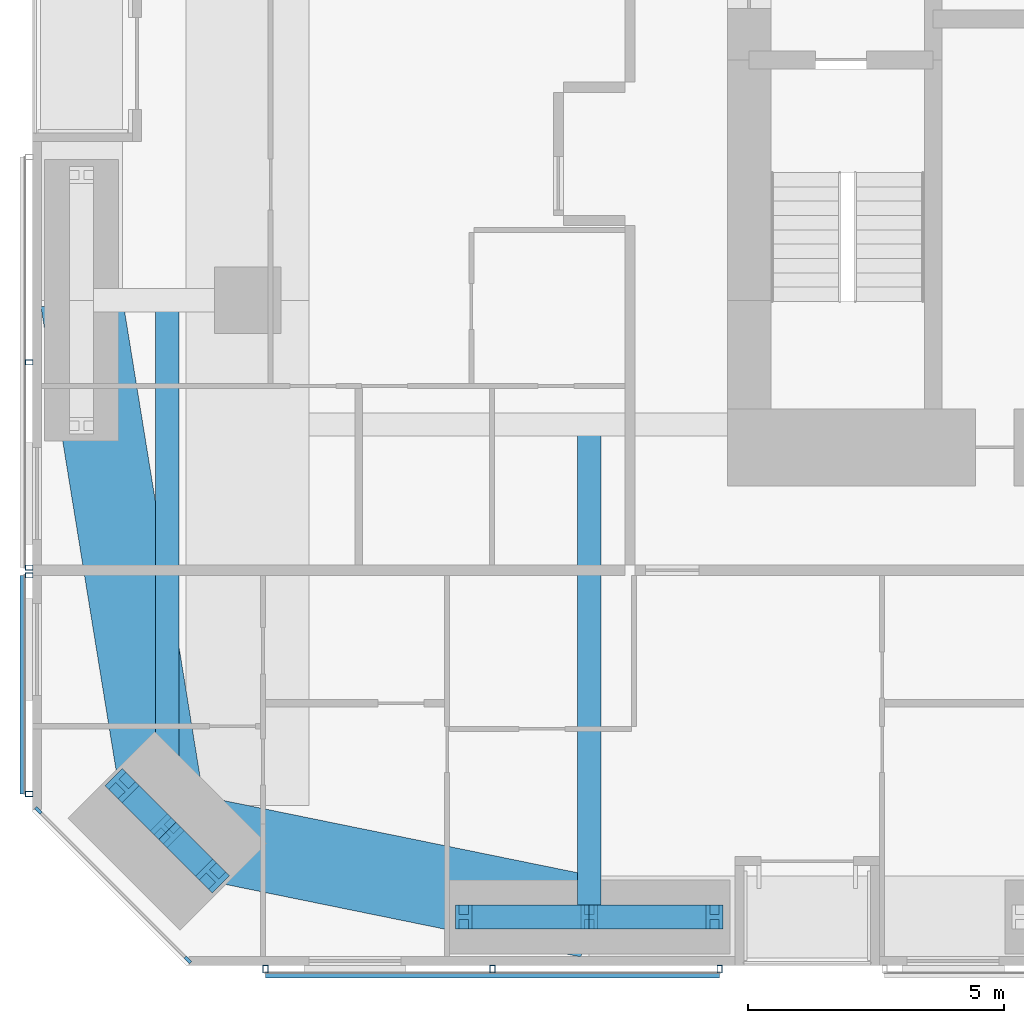
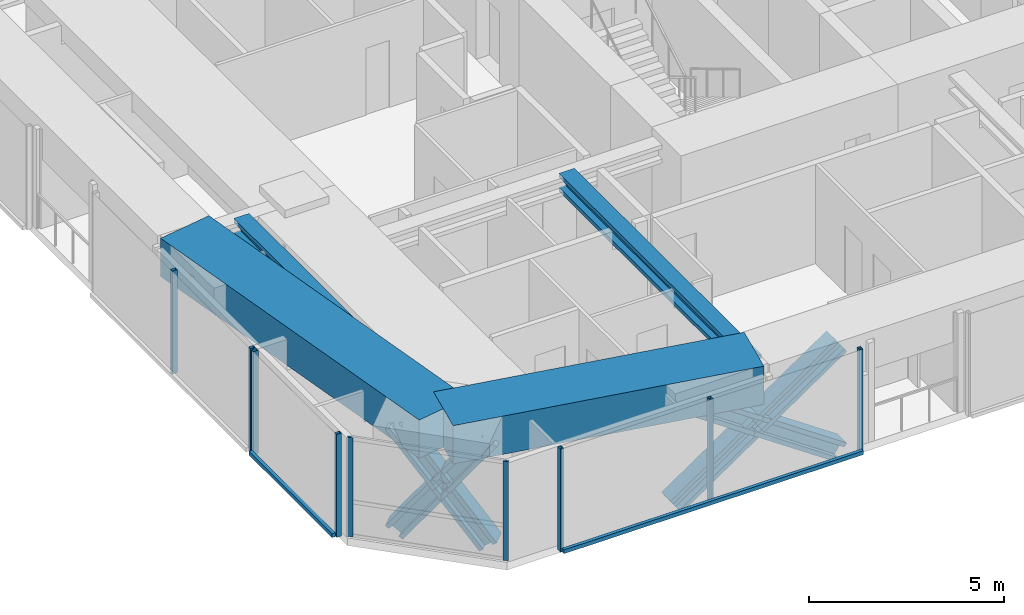
# One storey, part 2 of 23: 19 members, 4 beams, 4 elements without a shape of their own.
"""IFC4 building model written with IfcOpenShell, lengths in metres."""

import ifcopenshell
import ifcopenshell.guid

model = None  # the IFC model being written
_history = None  # IfcOwnerHistory: only IFC2X3 demands one
_inside = {}  # id of a spatial element -> (the spatial element, [elements in it])
_under = {}  # id of a project, library or spatial element -> (it, [spatial elements below it])
_declared = {}  # id of a project -> (the project, [libraries it declares])
_typed = {}  # id of a type object -> (the type object, [elements of that type])
_made_of = {}  # id of a material, layer set ... -> (it, [elements and type objects made of it])


def new_model(schema):
    """Start an empty IFC model of exactly this schema.

    Asked for "IFC4X3", IfcOpenShell would pick the latest addendum, in which some entities
    have other attributes; the version numbers below select the first issue.
    IFC2X3 requires an IfcOwnerHistory on every rooted entity: one is made here for all.
    """
    global model, _history
    if schema == "IFC4X3":
        model = ifcopenshell.file(schema_version=(4, 3, 0, 0))
    else:
        model = ifcopenshell.file(schema=schema)
    _inside.clear()
    _under.clear()
    _declared.clear()
    _typed.clear()
    _made_of.clear()
    _history = None
    if model.schema == "IFC2X3":
        org = make("IfcOrganization", Name="unknown")
        user = make(
            "IfcPersonAndOrganization",
            ThePerson=make("IfcPerson", FamilyName="unknown"),
            TheOrganization=org,
        )
        app = make(
            "IfcApplication",
            ApplicationDeveloper=org,
            Version="unknown",
            ApplicationFullName="unknown",
            ApplicationIdentifier="unknown",
        )
        _history = make(
            "IfcOwnerHistory",
            OwningUser=user,
            OwningApplication=app,
            ChangeAction="ADDED",
            CreationDate=0,
        )
    return model


def make(cls, **values):
    """One entity of the class cls with the attributes given. An attribute that is None is left unset."""
    return model.create_entity(
        cls, **{name: value for name, value in values.items() if value is not None}
    )


def rooted(cls, **values):
    """An entity with a GlobalId (a new one), such as an element, a storey or a relation."""
    return make(cls, GlobalId=ifcopenshell.guid.new(), OwnerHistory=_history, **values)


def si_unit(unit_type, name, prefix=None):
    """IfcSIUnit, for example si_unit("LENGTHUNIT", "METRE", prefix="MILLI")."""
    return make("IfcSIUnit", UnitType=unit_type, Prefix=prefix, Name=name)


def assignment(units):
    """IfcUnitAssignment: the units of a project."""
    return None if units is None else make("IfcUnitAssignment", Units=units)


def point(xyz):
    """IfcCartesianPoint."""
    return None if xyz is None else make("IfcCartesianPoint", Coordinates=xyz)


def direction(xyz):
    """IfcDirection."""
    return None if xyz is None else make("IfcDirection", DirectionRatios=xyz)


def frame(location, z_axis=None, x_axis=None):
    """IfcAxis2Placement3D, a coordinate frame: its origin and axes. An axis left out is left unset."""
    return make(
        "IfcAxis2Placement3D",
        Location=point(location),
        Axis=direction(z_axis),
        RefDirection=direction(x_axis),
    )


def frame_2d(location, x_axis=None):
    """IfcAxis2Placement2D, a coordinate frame in the plane: its origin and x axis."""
    return make(
        "IfcAxis2Placement2D", Location=point(location), RefDirection=direction(x_axis)
    )


def origin():
    """The frame at (0, 0, 0) with its axes left unset."""
    return frame((0.0, 0.0, 0.0))


def origin_2d():
    """The frame at (0, 0) in the plane with its x axis left unset."""
    return frame_2d((0.0, 0.0))


def place(relative_to, where):
    """IfcLocalPlacement: puts the frame where relative to a parent placement (None: the world)."""
    return make(
        "IfcLocalPlacement", PlacementRelTo=relative_to, RelativePlacement=where
    )


def context(
    kind, dimensions, precision=None, world=None, true_north=None, identifier=None
):
    """IfcGeometricRepresentationContext, for example the 3D "Model" context."""
    return make(
        "IfcGeometricRepresentationContext",
        ContextIdentifier=identifier,
        ContextType=kind,
        CoordinateSpaceDimension=dimensions,
        Precision=precision,
        WorldCoordinateSystem=world,
        TrueNorth=true_north,
    )


def subcontext(parent, identifier, kind, view, scale=None):
    """IfcGeometricRepresentationSubContext, for example "Body" below "Model"."""
    return make(
        "IfcGeometricRepresentationSubContext",
        ContextIdentifier=identifier,
        ContextType=kind,
        ParentContext=parent,
        TargetScale=scale,
        TargetView=view,
    )


def project(units=None, contexts=None):
    """IfcProject with its units and contexts."""
    return rooted(
        "IfcProject",
        Name="project",
        RepresentationContexts=contexts,
        UnitsInContext=assignment(units),
    )


def spatial(cls, under=None, at=None, **own):
    """A site, building, storey or space (cls), placed at a placement, below another one or the project."""
    s = rooted(cls, ObjectPlacement=at, **own)
    if under is not None:
        _under.setdefault(under.id(), (under, []))[1].append(s)
    return s


def profile(cls, at=None, kind="AREA", **sizes):
    """A parametric profile (cls). Its sizes go by their IFC names, for example OverallWidth=200.0."""
    return make(cls, ProfileType=kind, Position=at, **sizes)


def rectangle(**sizes):
    """IfcRectangleProfileDef."""
    return profile("IfcRectangleProfileDef", **sizes)


def hollow_rectangle(**sizes):
    """IfcRectangleHollowProfileDef."""
    return profile("IfcRectangleHollowProfileDef", **sizes)


def i_section(**sizes):
    """IfcIShapeProfileDef."""
    return profile("IfcIShapeProfileDef", **sizes)


def extrude(swept, where, along, depth):
    """IfcExtrudedAreaSolid: the profile swept, set in the frame where, extruded along a direction by depth."""
    return make(
        "IfcExtrudedAreaSolid",
        SweptArea=swept,
        Position=where,
        ExtrudedDirection=direction(along),
        Depth=depth,
    )


def shape(context_of_items, identifier, shape_type, items):
    """IfcShapeRepresentation: the items that make up one representation, for example the "Body"."""
    return make(
        "IfcShapeRepresentation",
        ContextOfItems=context_of_items,
        RepresentationIdentifier=identifier,
        RepresentationType=shape_type,
        Items=items,
    )


def material(Name=None, Category=None):
    """IfcMaterial."""
    return make("IfcMaterial", Name=Name, Category=Category)


def material_profile(
    of_material, cross_section, Name=None, Category=None, Priority=None
):
    """IfcMaterialProfile: a cross section and its material."""
    return make(
        "IfcMaterialProfile",
        Name=Name,
        Material=of_material,
        Profile=cross_section,
        Priority=Priority,
        Category=Category,
    )


def profile_set(profiles, Name=None, composite=None):
    """IfcMaterialProfileSet."""
    return make(
        "IfcMaterialProfileSet",
        Name=Name,
        MaterialProfiles=profiles,
        CompositeProfile=composite,
    )


def made_of(thing, what):
    """Note that an element or type object is made of a material, layer set ...; save() writes the relation."""
    if what is not None:
        _made_of.setdefault(what.id(), (what, []))[1].append(thing)
    return thing


def type_object(cls, material=None, **own):
    """A type object (cls), such as IfcWallType, which elements share."""
    return made_of(rooted(cls, **own), material)


def element(
    cls,
    number,
    at=None,
    inside=None,
    cuts=None,
    type_object=None,
    material=None,
    context=None,
    identifier="Body",
    shape_type=None,
    held_by="IfcProductDefinitionShape",
    body=None,
    shapes=None,
    **own,
):
    """One element of the class cls, such as IfcWall. Its Tag is "e" and its number.

    at: its placement. inside: the storey or other place that contains it. cuts: it is an
    opening in that element (IfcRelVoidsElement). A single representation is given by context,
    identifier, shape_type and body (its items); several are given by shapes. held_by: the class
    of the entity that holds the representations. save() writes the other relations.
    """
    e = rooted(cls, Tag="e%d" % number, ObjectPlacement=at, **own)
    if body is not None:
        shapes = [shape(context, identifier, shape_type, body)]
    if shapes is not None:
        e.Representation = make(held_by, Representations=shapes)
    if inside is not None:
        _inside.setdefault(inside.id(), (inside, []))[1].append(e)
    if cuts is not None:
        rooted(
            "IfcRelVoidsElement", RelatingBuildingElement=cuts, RelatedOpeningElement=e
        )
    if type_object is not None:
        _typed.setdefault(type_object.id(), (type_object, []))[1].append(e)
    return made_of(e, material)


def aggregate(whole, parts):
    """IfcRelAggregates: a whole, such as a stair, and the parts it consists of."""
    return rooted("IfcRelAggregates", RelatingObject=whole, RelatedObjects=parts)


def save(model, path):
    """Write the relations noted so far, then the file.

    IfcRelAggregates (storeys below a building ...), IfcRelContainedInSpatialStructure (elements
    in a storey), IfcRelDefinesByType, IfcRelAssociatesMaterial and IfcRelDeclares: one each for
    every whole, place, type object, material and project.
    """
    for whole, parts in _under.values():
        aggregate(whole, parts)
    for where, things in _inside.values():
        rooted(
            "IfcRelContainedInSpatialStructure",
            RelatedElements=things,
            RelatingStructure=where,
        )
    for kind, things in _typed.values():
        rooted("IfcRelDefinesByType", RelatedObjects=things, RelatingType=kind)
    for what, things in _made_of.values():
        rooted("IfcRelAssociatesMaterial", RelatedObjects=things, RelatingMaterial=what)
    for by, libraries in _declared.values():
        rooted("IfcRelDeclares", RelatingContext=by, RelatedDefinitions=libraries)
    model.write(path)


model = new_model("IFC4")

# Units and contexts
model_context = context("Model", 3, precision=1e-05, world=origin(), true_north=direction((0.0, 1.0)))
body_context = subcontext(model_context, "Body", "Model", "MODEL_VIEW")
ifc_project = project(units=[si_unit("LENGTHUNIT", "METRE"), si_unit("AREAUNIT", "SQUARE_METRE"), si_unit("VOLUMEUNIT", "CUBIC_METRE"), si_unit("PLANEANGLEUNIT", "RADIAN"), si_unit("MASSUNIT", "GRAM", prefix="KILO")], contexts=[model_context])

# Site, building, storey
site_placement = place(None, origin())
site = spatial("IfcSite", under=ifc_project, at=site_placement, CompositionType="ELEMENT")
building_placement = place(site_placement, origin())
building = spatial("IfcBuilding", under=site, at=building_placement, Name="Jalousie Tower", CompositionType="ELEMENT")
storey_placement = place(building_placement, frame((0.0, 0.0, 104.85009765625)))
storey = spatial("IfcBuildingStorey", under=building, at=storey_placement, Name="L28", CompositionType="ELEMENT", Elevation=104.85009765625)

# Curtain wall, members
ifc_material_1 = material(Name="Aluminium curtain wall", Category="aluminium")
curtain_wall_type_1 = type_object("IfcCurtainWallType", Name="CORNER WINDOW WALL", PredefinedType="USERDEFINED", material=ifc_material_1)
curtain_wall_1_placement = place(storey_placement, origin())
curtain_wall_1 = element("IfcCurtainWall", 1, at=curtain_wall_1_placement, inside=storey, type_object=curtain_wall_type_1, Name="Corner Window Wall L28 8", ObjectType="CORNER WINDOW WALL", PredefinedType="USERDEFINED")
ifc_material_2 = material(Name="Aluminium mullion", Category="aluminium")
ifc_material_profile_1 = material_profile(ifc_material_2, rectangle(XDim=0.06005859375, YDim=0.14990234375, at=origin_2d()), Name="MULLION 60x150")
ifc_profile_set_1 = profile_set([ifc_material_profile_1], Name="Aluminium mullion")
member_type_1 = type_object("IfcMemberType", Name="CORNER WINDOW WALL MULLION", PredefinedType="MULLION", material=ifc_profile_set_1)
member_1_placement = place(storey_placement, frame((6.108642578125, 3.030029296875, 0.0), z_axis=(0.0, 0.0, 1.0), x_axis=(0.707106781187, 0.707106781187, 0.0)))
member_1 = element("IfcMember", 2, at=member_1_placement, type_object=member_type_1, Name="CW-C mullion 1", PredefinedType="MULLION", context=body_context, shape_type="SweptSolid", body=[
    extrude(rectangle(XDim=0.06005859375, YDim=0.14990234375, at=origin_2d()), origin(), (0.0, 0.0, 1.0), 3.10986328125),
])
member_2_placement = place(storey_placement, frame((9.030029296875, 0.108642578125, 0.0), z_axis=(0.0, 0.0, 1.0), x_axis=(0.707106781187, 0.707106781187, 0.0)))
member_2 = element("IfcMember", 3, at=member_2_placement, type_object=member_type_1, Name="CW-C mullion 2", PredefinedType="MULLION", context=body_context, shape_type="SweptSolid", body=[
    extrude(rectangle(XDim=0.06005859375, YDim=0.14990234375, at=origin_2d()), origin(), (0.0, 0.0, 1.0), 3.10986328125),
])
aggregate(curtain_wall_1, [member_1, member_2])

# Beams
ifc_material_3 = material(Name="Steel ASTM A992 Grade 50", Category="steel")
ifc_material_profile_2 = material_profile(ifc_material_3, i_section(OverallWidth=0.45458984375, OverallDepth=0.569091796875, WebThickness=0.077880859375, FlangeThickness=0.124755859375, at=origin_2d()), Name="W14X730")
ifc_profile_set_2 = profile_set([ifc_material_profile_2], Name="Steel ASTM A992 Grade 50")
beam_type_1 = type_object("IfcBeamType", Name="LEAN COLLECTOR W14X730", PredefinedType="BEAM", material=ifc_profile_set_2)
beam_1_placement = place(storey_placement, frame((8.63134765625, 2.63134765625, 2.825439453125), z_axis=(0.0, 1.0, 0.0), x_axis=(-1.0, 0.0, 0.0)))
element("IfcBeam", 4, at=beam_1_placement, inside=storey, type_object=beam_type_1, Name="Lean collector under L29", PredefinedType="BEAM", context=body_context, shape_type="SweptSolid", body=[
    extrude(i_section(OverallWidth=0.45458984375, OverallDepth=0.569091796875, WebThickness=0.077880859375, FlangeThickness=0.124755859375, at=origin_2d()), origin(), (0.0, 0.0, 1.0), 10.36865234375),
])
beam_2_placement = place(storey_placement, frame((16.875, 0.949951171875, 2.825439453125), z_axis=(0.0, 1.0, 0.0), x_axis=(-1.0, 0.0, 0.0)))
element("IfcBeam", 5, at=beam_2_placement, inside=storey, type_object=beam_type_1, Name="Lean collector under L29", PredefinedType="BEAM", context=body_context, shape_type="SweptSolid", body=[
    extrude(i_section(OverallWidth=0.45458984375, OverallDepth=0.569091796875, WebThickness=0.077880859375, FlangeThickness=0.124755859375, at=origin_2d()), origin(), (0.0, 0.0, 1.0), 9.625),
])

# Members
ifc_material_4 = material(Name="Steel ASTM A992 Grade 50", Category="steel")
ifc_material_profile_3 = material_profile(ifc_material_4, i_section(OverallWidth=0.472412109375, OverallDepth=0.5791015625, WebThickness=0.094970703125, FlangeThickness=0.1298828125, at=origin_2d()), Name="W14X808")
ifc_profile_set_3 = profile_set([ifc_material_profile_3], Name="Steel ASTM A992 Grade 50")
member_type_2 = type_object("IfcMemberType", Name="PERIMETER BRACE W14X808", PredefinedType="BRACE", material=ifc_profile_set_3)
for number, where, z_axis, x_axis, name in (
    (6, (7.74755859375, 3.515380859375, -0.60009765625), (0.422851718556, -0.422968528423, 0.801432497518), (0.707204427637, 0.70700912125, 0.0), "Perimeter brace 01 L28 part 1"),
    (7, (8.63134765625, 2.63134765625, 1.074951171875), (0.422968528423, -0.422851718556, 0.801432497518), (0.70700912125, 0.707204427637, 0.0), "Perimeter brace 01 L28 part 2"),
    (8, (9.515380859375, 1.74755859375, -0.60009765625), (-0.422968528423, 0.422851718556, 0.801432497518), (-0.70700912125, -0.707204427637, 0.0), "Perimeter brace 01 L28 part 3"),
    (9, (8.63134765625, 2.63134765625, 1.074951171875), (-0.422851718556, 0.422968528423, 0.801432497518), (-0.707204427637, -0.70700912125, 0.0), "Perimeter brace 01 L28 part 4"),
):
    element("IfcMember", number, at=place(storey_placement, frame(where, z_axis=z_axis, x_axis=x_axis)), inside=storey, type_object=member_type_2, Name=name, PredefinedType="BRACE", context=body_context, shape_type="SweptSolid", body=[
        extrude(i_section(OverallWidth=0.472412109375, OverallDepth=0.5791015625, WebThickness=0.094970703125, FlangeThickness=0.1298828125, at=origin_2d()), origin(), (0.0, 0.0, 1.0), 2.090087890625),
    ])
for number, where, z_axis, x_axis, name in (
    (10, (14.425048828125, 0.949951171875, -0.60009765625), (0.825500916831, 0.0, 0.564400776321), (0.0, 1.0, 0.0), "Perimeter brace 02 L28 part 1"),
    (11, (16.875, 0.949951171875, 1.074951171875), (0.825500916831, 0.0, 0.564400776321), (0.0, 1.0, 0.0), "Perimeter brace 02 L28 part 2"),
    (12, (19.324951171875, 0.949951171875, -0.60009765625), (-0.825500916831, 0.0, 0.564400776321), (0.0, -1.0, 0.0), "Perimeter brace 02 L28 part 3"),
    (13, (16.875, 0.949951171875, 1.074951171875), (-0.825500916831, 0.0, 0.564400776321), (0.0, -1.0, 0.0), "Perimeter brace 02 L28 part 4"),
):
    element("IfcMember", number, at=place(storey_placement, frame(where, z_axis=z_axis, x_axis=x_axis)), inside=storey, type_object=member_type_2, Name=name, PredefinedType="BRACE", context=body_context, shape_type="SweptSolid", body=[
        extrude(i_section(OverallWidth=0.472412109375, OverallDepth=0.5791015625, WebThickness=0.094970703125, FlangeThickness=0.1298828125, at=origin_2d()), origin(), (0.0, 0.0, 1.0), 2.9677734375),
    ])

# Beams
ifc_material_5 = material(Name="Concrete f'c 40 MPa", Category="concrete")
ifc_material_profile_4 = material_profile(ifc_material_5, rectangle(XDim=1.60009765625, YDim=1.199951171875, at=origin_2d()), Name="RC 1600x1200")
ifc_profile_set_4 = profile_set([ifc_material_profile_4], Name="Concrete f'c 40 MPa")
beam_type_2 = type_object("IfcBeamType", Name="RC BEAM 1600x1200", PredefinedType="BEAM", material=ifc_profile_set_4)
beam_3_placement = place(storey_placement, frame((8.63134765625, 2.63134765625, 2.75), z_axis=(0.97982690954, -0.199848010602, 0.0), x_axis=(0.199848010602, 0.97982690954, 0.0)))
element("IfcBeam", 14, at=beam_3_placement, inside=storey, type_object=beam_type_2, Name="Edge band beam 01-02 under L29", PredefinedType="BEAM", context=body_context, shape_type="SweptSolid", body=[
    extrude(rectangle(XDim=1.60009765625, YDim=1.199951171875, at=origin_2d()), origin(), (0.0, 0.0, 1.0), 8.413330078125),
])
beam_4_placement = place(storey_placement, frame((6.949951171875, 13.0, 2.75), z_axis=(0.160070546476, -0.987105577003, 0.0), x_axis=(0.987105577003, 0.160070546476, 0.0)))
element("IfcBeam", 15, at=beam_4_placement, inside=storey, type_object=beam_type_2, Name="Edge band beam 14-01 under L29", PredefinedType="BEAM", context=body_context, shape_type="SweptSolid", body=[
    extrude(rectangle(XDim=1.60009765625, YDim=1.199951171875, at=origin_2d()), origin(), (0.0, 0.0, 1.0), 10.504150390625),
])

# Curtain wall, members
ifc_material_6 = material(Name="Perforated aluminium sheet", Category="aluminium")
curtain_wall_type_2 = type_object("IfcCurtainWallType", Name="SOLAR SCREEN SS-1", PredefinedType="USERDEFINED", material=ifc_material_6)
curtain_wall_2_placement = place(storey_placement, origin())
curtain_wall_2 = element("IfcCurtainWall", 16, at=curtain_wall_2_placement, inside=storey, type_object=curtain_wall_type_2, Name="Solar screen L28", ObjectType="SOLAR SCREEN SS-1", PredefinedType="USERDEFINED")
ifc_material_7 = material(Name="Steel ASTM A500 Grade C", Category="steel")
ifc_material_profile_5 = material_profile(ifc_material_7, hollow_rectangle(XDim=0.1015625, YDim=0.15234375, WallThickness=0.00634765625, at=origin_2d()), Name="HSS6X4X1/4")
ifc_profile_set_5 = profile_set([ifc_material_profile_5], Name="Steel ASTM A500 Grade C")
member_type_3 = type_object("IfcMemberType", Name="SOLAR SCREEN SS-1 MULLION", PredefinedType="MULLION", material=ifc_profile_set_5)
member_3_placement = place(storey_placement, frame((10.550048828125, -0.0712890625, -0.1201171875), z_axis=(0.0, 0.0, 1.0), x_axis=(1.0, 0.0, 0.0)))
member_3 = element("IfcMember", 17, at=member_3_placement, type_object=member_type_3, Name="SS1 post 1", PredefinedType="MULLION", context=body_context, shape_type="SweptSolid", body=[
    extrude(hollow_rectangle(XDim=0.1015625, YDim=0.15234375, WallThickness=0.00634765625, at=origin_2d()), origin(), (0.0, 0.0, 1.0), 3.22998046875),
])
member_4_placement = place(storey_placement, frame((14.987548828125, -0.0712890625, -0.1201171875), z_axis=(0.0, 0.0, 1.0), x_axis=(1.0, 0.0, 0.0)))
member_4 = element("IfcMember", 18, at=member_4_placement, type_object=member_type_3, Name="SS1 post 2", PredefinedType="MULLION", context=body_context, shape_type="SweptSolid", body=[
    extrude(hollow_rectangle(XDim=0.1015625, YDim=0.15234375, WallThickness=0.00634765625, at=origin_2d()), origin(), (0.0, 0.0, 1.0), 3.22998046875),
])
member_5_placement = place(storey_placement, frame((19.425048828125, -0.0712890625, -0.1201171875), z_axis=(0.0, 0.0, 1.0), x_axis=(1.0, 0.0, 0.0)))
member_5 = element("IfcMember", 19, at=member_5_placement, type_object=member_type_3, Name="SS1 post 3", PredefinedType="MULLION", context=body_context, shape_type="SweptSolid", body=[
    extrude(hollow_rectangle(XDim=0.1015625, YDim=0.15234375, WallThickness=0.00634765625, at=origin_2d()), origin(), (0.0, 0.0, 1.0), 3.22998046875),
])

curtain_wall_3_placement = place(storey_placement, origin())
curtain_wall_3 = element("IfcCurtainWall", 20, at=curtain_wall_3_placement, inside=storey, type_object=curtain_wall_type_2, Name="Solar screen L28", ObjectType="SOLAR SCREEN SS-1", PredefinedType="USERDEFINED")
member_6_placement = place(storey_placement, frame((5.9287109375, 11.78759765625, -0.1201171875), z_axis=(0.0, 0.0, 1.0), x_axis=(0.0, -1.0, 0.0)))
member_6 = element("IfcMember", 21, at=member_6_placement, type_object=member_type_3, Name="SS1 post 2", PredefinedType="MULLION", context=body_context, shape_type="SweptSolid", body=[
    extrude(hollow_rectangle(XDim=0.1015625, YDim=0.15234375, WallThickness=0.00634765625, at=origin_2d()), origin(), (0.0, 0.0, 1.0), 3.22998046875),
])
member_7_placement = place(storey_placement, frame((5.9287109375, 7.77490234375, -0.1201171875), z_axis=(0.0, 0.0, 1.0), x_axis=(0.0, -1.0, 0.0)))
member_7 = element("IfcMember", 22, at=member_7_placement, type_object=member_type_3, Name="SS1 post 3", PredefinedType="MULLION", context=body_context, shape_type="SweptSolid", body=[
    extrude(hollow_rectangle(XDim=0.1015625, YDim=0.15234375, WallThickness=0.00634765625, at=origin_2d()), origin(), (0.0, 0.0, 1.0), 3.22998046875),
])
aggregate(curtain_wall_3, [member_6, member_7])

curtain_wall_4_placement = place(storey_placement, origin())
curtain_wall_4 = element("IfcCurtainWall", 23, at=curtain_wall_4_placement, inside=storey, type_object=curtain_wall_type_2, Name="Solar screen L28", ObjectType="SOLAR SCREEN SS-1", PredefinedType="USERDEFINED")
member_8_placement = place(storey_placement, frame((5.9287109375, 7.625, -0.1201171875), z_axis=(0.0, 0.0, 1.0), x_axis=(0.0, -1.0, 0.0)))
member_8 = element("IfcMember", 24, at=member_8_placement, type_object=member_type_3, Name="SS1 post 1", PredefinedType="MULLION", context=body_context, shape_type="SweptSolid", body=[
    extrude(hollow_rectangle(XDim=0.1015625, YDim=0.15234375, WallThickness=0.00634765625, at=origin_2d()), origin(), (0.0, 0.0, 1.0), 3.22998046875),
])
member_9_placement = place(storey_placement, frame((5.9287109375, 3.351318359375, -0.1201171875), z_axis=(0.0, 0.0, 1.0), x_axis=(0.0, -1.0, 0.0)))
member_9 = element("IfcMember", 25, at=member_9_placement, type_object=member_type_3, Name="SS1 post 2", PredefinedType="MULLION", context=body_context, shape_type="SweptSolid", body=[
    extrude(hollow_rectangle(XDim=0.1015625, YDim=0.15234375, WallThickness=0.00634765625, at=origin_2d()), origin(), (0.0, 0.0, 1.0), 3.22998046875),
])

# Member
ifc_material_8 = material(Name="Extruded aluminium screen rail", Category="aluminium")
ifc_material_profile_6 = material_profile(ifc_material_8, rectangle(XDim=0.1015625, YDim=0.1201171875, at=origin_2d()), Name="RAIL 102x120")
ifc_profile_set_6 = profile_set([ifc_material_profile_6], Name="Extruded aluminium screen rail")
member_type_4 = type_object("IfcMemberType", Name="SOLAR SCREEN SS-1 TRANSOM", PredefinedType="USERDEFINED", material=ifc_profile_set_6)
member_10_placement = place(storey_placement, frame((10.550048828125, -0.1982421875, -0.06005859375), z_axis=(1.0, 0.0, 0.0), x_axis=(0.0, 1.0, 0.0)))
member_10 = element("IfcMember", 26, at=member_10_placement, type_object=member_type_4, Name="SS1 rail", ObjectType="TRANSOM", PredefinedType="USERDEFINED", context=body_context, shape_type="SweptSolid", body=[
    extrude(rectangle(XDim=0.1015625, YDim=0.1201171875, at=origin_2d()), origin(), (0.0, 0.0, 1.0), 8.875),
])

aggregate(curtain_wall_2, [member_3, member_4, member_5, member_10])

member_11_placement = place(storey_placement, frame((5.8017578125, 7.625, -0.06005859375), z_axis=(0.0, -1.0, 0.0), x_axis=(1.0, 0.0, 0.0)))
member_11 = element("IfcMember", 27, at=member_11_placement, type_object=member_type_4, Name="SS1 rail", ObjectType="TRANSOM", PredefinedType="USERDEFINED", context=body_context, shape_type="SweptSolid", body=[
    extrude(rectangle(XDim=0.1015625, YDim=0.1201171875, at=origin_2d()), origin(), (0.0, 0.0, 1.0), 4.273681640625),
])

aggregate(curtain_wall_4, [member_8, member_9, member_11])

save(model, "model.ifc")
